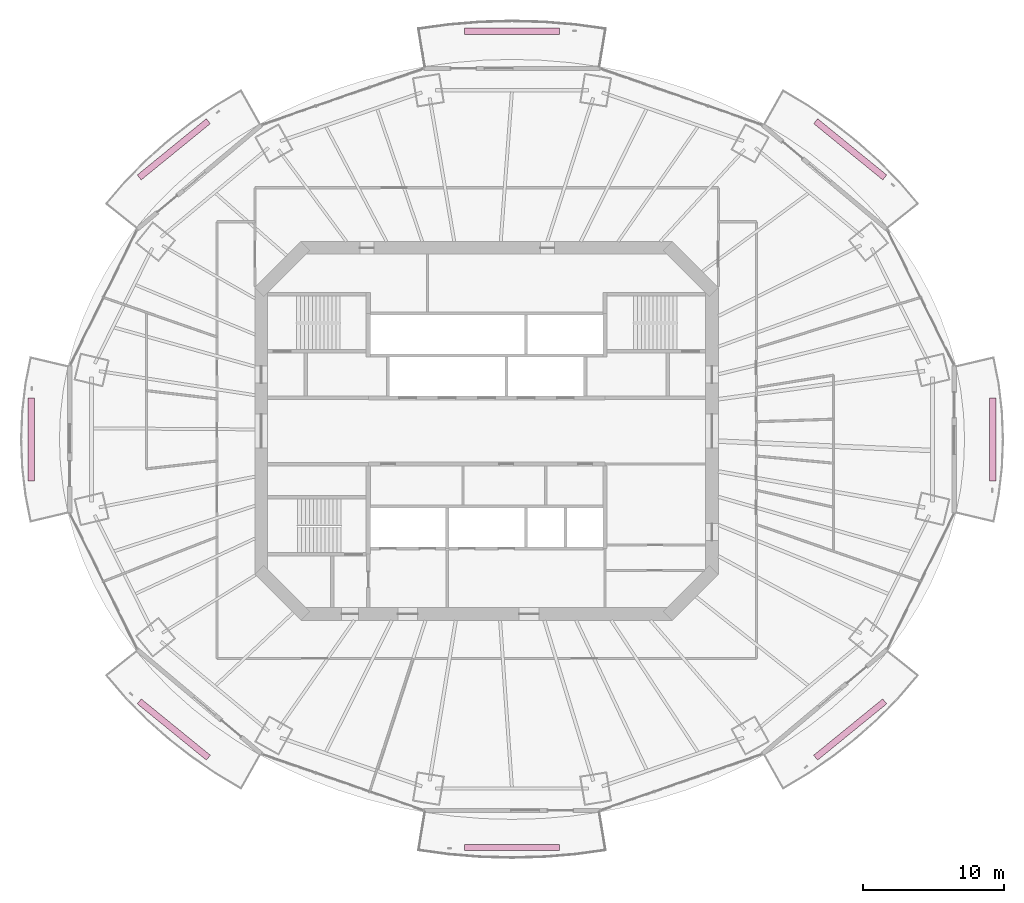
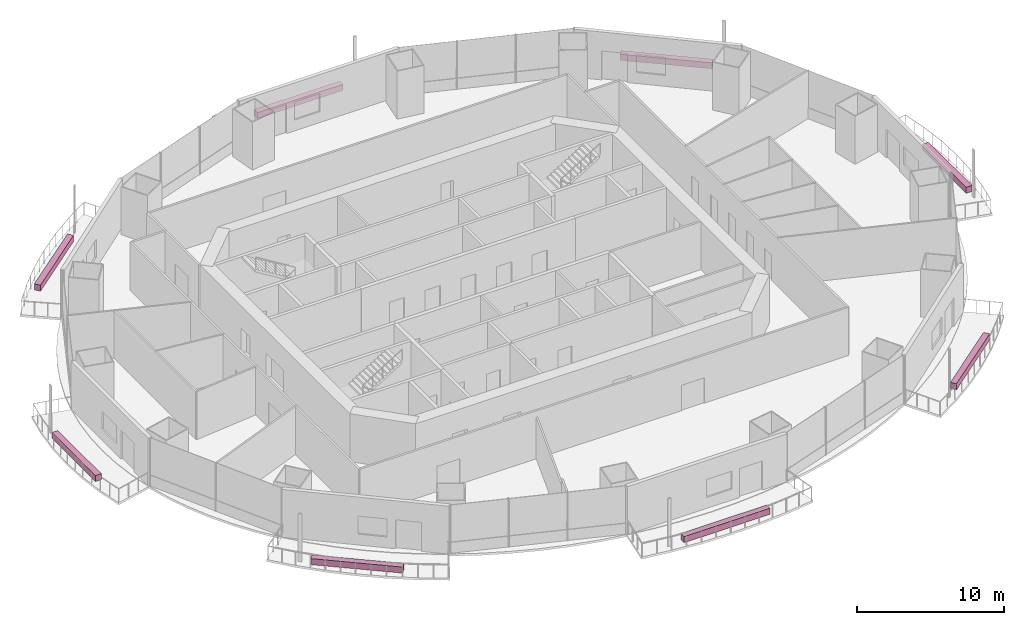
# One storey, part 20 of 20: 8 furnishings.
"""IFC4 building model written with IfcOpenShell, lengths in metres."""

from ifc_helpers import new_model, si_unit, direction, frame, origin, origin_2d, place, context, subcontext, project, spatial, rectangle, extrude, material, type_object, element, save


model = new_model("IFC4")

# Units and contexts
model_context = context("Model", 3, precision=1e-05, world=origin(), true_north=direction((0.0, 1.0)))
body_context = subcontext(model_context, "Body", "Model", "MODEL_VIEW")
ifc_project = project(units=[si_unit("LENGTHUNIT", "METRE"), si_unit("AREAUNIT", "SQUARE_METRE"), si_unit("VOLUMEUNIT", "CUBIC_METRE"), si_unit("PLANEANGLEUNIT", "RADIAN"), si_unit("MASSUNIT", "GRAM", prefix="KILO")], contexts=[model_context])

# Site, building, storey
site_placement = place(None, origin())
site = spatial("IfcSite", under=ifc_project, at=site_placement, CompositionType="ELEMENT")
building_placement = place(site_placement, origin())
building = spatial("IfcBuilding", under=site, at=building_placement, Name="Marenthal Gate Tower", CompositionType="ELEMENT")
storey_placement = place(building_placement, frame((0.0, 0.0, 190.10009765625)))
storey = spatial("IfcBuildingStorey", under=building, at=storey_placement, Name="L41", CompositionType="ELEMENT", Elevation=190.10009765625)

# Furnishings
ifc_material = material(Name="Planting soil and foliage", Category="planting")
furnishing_element_type = type_object("IfcFurnishingElementType", Name="Balcony PLANTER trough", material=ifc_material)
furnishing_1_placement = place(storey_placement, frame((25.81494140625, 19.99853515625, -0.0400390625), z_axis=(0.0, 0.0, 1.0), x_axis=(-0.775321700269, 0.631566513592, 0.0)))
element("IfcFurnishingElement", 1, at=furnishing_1_placement, inside=storey, type_object=furnishing_element_type, Name="Balcony PLANTER L41 bay 2", ObjectType="PLANTER", context=body_context, shape_type="SweptSolid", body=[
    extrude(rectangle(XDim=6.327392578125, YDim=0.449951171875, at=origin_2d()), origin(), (0.0, 0.0, 1.0), 0.5),
])
furnishing_2_placement = place(storey_placement, frame((1.800048828125, 28.3759765625, -0.0400390625), z_axis=(0.0, 0.0, 1.0), x_axis=(-1.0, 0.0, 0.0)))
element("IfcFurnishingElement", 2, at=furnishing_2_placement, inside=storey, type_object=furnishing_element_type, Name="Balcony PLANTER L41 bay 4", ObjectType="PLANTER", context=body_context, shape_type="SweptSolid", body=[
    extrude(rectangle(XDim=6.73046875, YDim=0.449951171875, at=origin_2d()), origin(), (0.0, 0.0, 1.0), 0.5),
])
furnishing_3_placement = place(storey_placement, frame((-22.21484375, 19.99853515625, -0.0400390625), z_axis=(0.0, 0.0, 1.0), x_axis=(-0.775321700269, -0.631566513592, 0.0)))
element("IfcFurnishingElement", 3, at=furnishing_3_placement, inside=storey, type_object=furnishing_element_type, Name="Balcony PLANTER L41 bay 6", ObjectType="PLANTER", context=body_context, shape_type="SweptSolid", body=[
    extrude(rectangle(XDim=6.327392578125, YDim=0.449951171875, at=origin_2d()), origin(), (0.0, 0.0, 1.0), 0.5),
])
furnishing_4_placement = place(storey_placement, frame((-32.330078125, -0.60009765625, -0.0400390625), z_axis=(0.0, 0.0, 1.0), x_axis=(0.0, -1.0, 0.0)))
element("IfcFurnishingElement", 4, at=furnishing_4_placement, inside=storey, type_object=furnishing_element_type, Name="Balcony PLANTER L41 bay 8", ObjectType="PLANTER", context=body_context, shape_type="SweptSolid", body=[
    extrude(rectangle(XDim=5.9091796875, YDim=0.449951171875, at=origin_2d()), origin(), (0.0, 0.0, 1.0), 0.5),
])
furnishing_5_placement = place(storey_placement, frame((-22.21484375, -21.19873046875, -0.0400390625), z_axis=(0.0, 0.0, 1.0), x_axis=(0.775321700269, -0.631566513592, 0.0)))
element("IfcFurnishingElement", 5, at=furnishing_5_placement, inside=storey, type_object=furnishing_element_type, Name="Balcony PLANTER L41 bay 10", ObjectType="PLANTER", context=body_context, shape_type="SweptSolid", body=[
    extrude(rectangle(XDim=6.327392578125, YDim=0.449951171875, at=origin_2d()), origin(), (0.0, 0.0, 1.0), 0.5),
])
furnishing_6_placement = place(storey_placement, frame((1.800048828125, -29.575927734375, -0.0400390625), z_axis=(0.0, 0.0, 1.0), x_axis=(1.0, 0.0, 0.0)))
element("IfcFurnishingElement", 6, at=furnishing_6_placement, inside=storey, type_object=furnishing_element_type, Name="Balcony PLANTER L41 bay 12", ObjectType="PLANTER", context=body_context, shape_type="SweptSolid", body=[
    extrude(rectangle(XDim=6.73046875, YDim=0.449951171875, at=origin_2d()), origin(), (0.0, 0.0, 1.0), 0.5),
])
furnishing_7_placement = place(storey_placement, frame((25.81494140625, -21.19873046875, -0.0400390625), z_axis=(0.0, 0.0, 1.0), x_axis=(0.775321700269, 0.631566513592, 0.0)))
element("IfcFurnishingElement", 7, at=furnishing_7_placement, inside=storey, type_object=furnishing_element_type, Name="Balcony PLANTER L41 bay 14", ObjectType="PLANTER", context=body_context, shape_type="SweptSolid", body=[
    extrude(rectangle(XDim=6.327392578125, YDim=0.449951171875, at=origin_2d()), origin(), (0.0, 0.0, 1.0), 0.5),
])
furnishing_8_placement = place(storey_placement, frame((35.929931640625, -0.60009765625, -0.0400390625), z_axis=(0.0, 0.0, 1.0), x_axis=(0.0, 1.0, 0.0)))
element("IfcFurnishingElement", 8, at=furnishing_8_placement, inside=storey, type_object=furnishing_element_type, Name="Balcony PLANTER L41 bay 16", ObjectType="PLANTER", context=body_context, shape_type="SweptSolid", body=[
    extrude(rectangle(XDim=5.9091796875, YDim=0.449951171875, at=origin_2d()), origin(), (0.0, 0.0, 1.0), 0.5),
])

save(model, "model.ifc")
